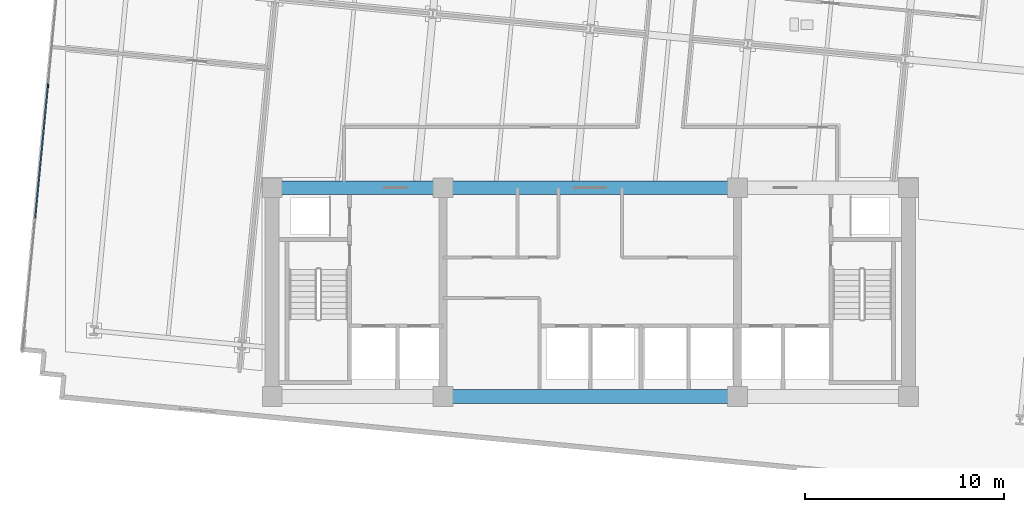
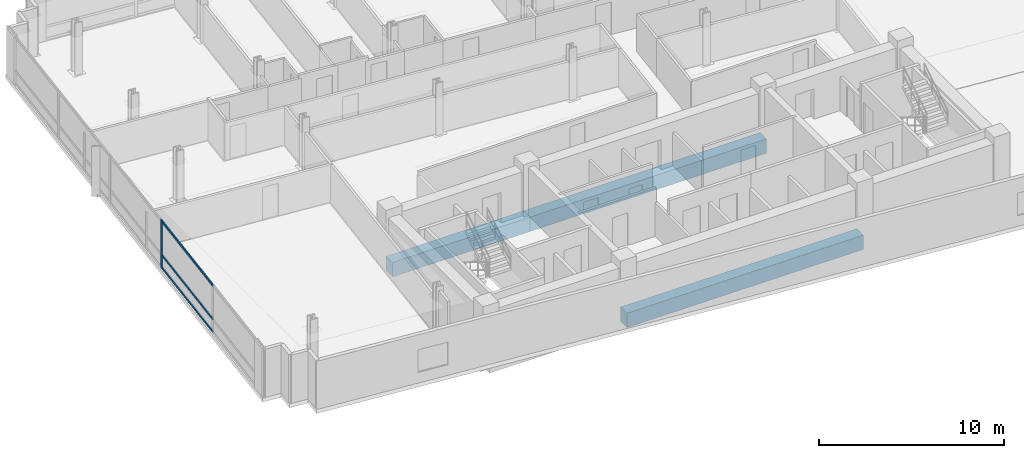
# One storey, part 3 of 17: 4 members, 3 beams, 1 element without a shape of its own.
"""IFC4 building model written with IfcOpenShell, lengths in metres."""

from ifc_helpers import new_model, si_unit, direction, frame, origin, origin_2d, place, context, subcontext, project, spatial, rectangle, extrude, material, material_profile, profile_set, type_object, element, aggregate, save


model = new_model("IFC4")

# Units and contexts
model_context = context("Model", 3, precision=1e-05, world=origin(), true_north=direction((0.0, 1.0)))
body_context = subcontext(model_context, "Body", "Model", "MODEL_VIEW")
ifc_project = project(units=[si_unit("LENGTHUNIT", "METRE"), si_unit("AREAUNIT", "SQUARE_METRE"), si_unit("VOLUMEUNIT", "CUBIC_METRE"), si_unit("PLANEANGLEUNIT", "RADIAN"), si_unit("MASSUNIT", "GRAM", prefix="KILO")], contexts=[model_context])

# Site, building, storey
site_placement = place(None, origin())
site = spatial("IfcSite", under=ifc_project, at=site_placement, CompositionType="ELEMENT")
building_placement = place(site_placement, origin())
building = spatial("IfcBuilding", under=site, at=building_placement, Name="Solmavex Isthmus Hotel", CompositionType="ELEMENT")
storey_placement = place(building_placement, frame((0.0, 0.0, 149.699951171875)))
storey = spatial("IfcBuildingStorey", under=building, at=storey_placement, Name="L40", CompositionType="ELEMENT", Elevation=149.699951171875)

# Beams
ifc_material_1 = material(Name="Concrete C60/75", Category="concrete")
ifc_material_profile_1 = material_profile(ifc_material_1, rectangle(XDim=0.699951171875, YDim=0.949951171875, at=origin_2d()), Name="RC700X950")
ifc_profile_set_1 = profile_set([ifc_material_profile_1], Name="Concrete C60/75")
beam_type = type_object("IfcBeamType", Name="BM-CB-700X950", PredefinedType="BEAM", material=ifc_profile_set_1)
beam_1_placement = place(storey_placement, frame((-7.39990234375, -13.0, -0.73486328125), z_axis=(1.0, 0.0, 0.0), x_axis=(0.0, 1.0, 0.0)))
element("IfcBeam", 1, at=beam_1_placement, inside=storey, type_object=beam_type, Name="Core Coupling Beam L40-CB2", PredefinedType="BEAM", context=body_context, shape_type="SweptSolid", body=[
    extrude(rectangle(XDim=0.699951171875, YDim=0.949951171875, at=origin_2d()), origin(), (0.0, 0.0, 1.0), 14.7998046875),
])
beam_2_placement = place(storey_placement, frame((-16.0, -2.5, -0.73486328125), z_axis=(1.0, 0.0, 0.0), x_axis=(0.0, 1.0, 0.0)))
element("IfcBeam", 2, at=beam_2_placement, inside=storey, type_object=beam_type, Name="Core Coupling Beam L40-CB4", PredefinedType="BEAM", context=body_context, shape_type="SweptSolid", body=[
    extrude(rectangle(XDim=0.699951171875, YDim=0.949951171875, at=origin_2d()), origin(), (0.0, 0.0, 1.0), 8.60009765625),
])
beam_3_placement = place(storey_placement, frame((-7.39990234375, -2.5, -0.73486328125), z_axis=(1.0, 0.0, 0.0), x_axis=(0.0, 1.0, 0.0)))
element("IfcBeam", 3, at=beam_3_placement, inside=storey, type_object=beam_type, Name="Core Coupling Beam L40-CB5", PredefinedType="BEAM", context=body_context, shape_type="SweptSolid", body=[
    extrude(rectangle(XDim=0.699951171875, YDim=0.949951171875, at=origin_2d()), origin(), (0.0, 0.0, 1.0), 14.7998046875),
])

# Curtain wall, members
ifc_material_2 = material(Name="Aluminium alloy 6063-T6", Category="aluminium")
curtain_wall_type = type_object("IfcCurtainWallType", Name="CW-SYS-03", PredefinedType="NOTDEFINED", material=ifc_material_2)
curtain_wall_placement = place(storey_placement, origin())
curtain_wall = element("IfcCurtainWall", 4, at=curtain_wall_placement, inside=storey, type_object=curtain_wall_type, Name="Stick Curtain Wall CWL-L40-W1", PredefinedType="NOTDEFINED")
ifc_material_profile_2 = material_profile(ifc_material_2, rectangle(XDim=0.070068359375, YDim=0.179931640625, at=origin_2d()), Name="CWM-70X180")
ifc_profile_set_2 = profile_set([ifc_material_profile_2], Name="Aluminium alloy 6063-T6")
member_type_1 = type_object("IfcMemberType", Name="CW-SYS-03-MUL", PredefinedType="MULLION", material=ifc_profile_set_2)
member_1_placement = place(storey_placement, frame((-27.2783203125, 2.6318359375, 0.0), z_axis=(0.0, 0.0, 1.0), x_axis=(-0.995396190038, 0.09584583902, 0.0)))
member_1 = element("IfcMember", 5, at=member_1_placement, type_object=member_type_1, Name="CW-03 mullion 3", PredefinedType="MULLION", context=body_context, shape_type="SweptSolid", body=[
    extrude(rectangle(XDim=0.070068359375, YDim=0.179931640625, at=origin_2d()), origin(), (0.0, 0.0, 1.0), 3.18994140625),
])
ifc_material_profile_3 = material_profile(ifc_material_2, rectangle(XDim=0.070068359375, YDim=0.139892578125, at=origin_2d()), Name="CWT-70X140")
ifc_profile_set_3 = profile_set([ifc_material_profile_3], Name="Aluminium alloy 6063-T6")
member_type_2 = type_object("IfcMemberType", Name="CW-SYS-03-TRN", PredefinedType="USERDEFINED", material=ifc_profile_set_3)
member_2_placement = place(storey_placement, frame((-27.9189453125, -4.0224609375, 0.070068359375), z_axis=(0.095820836451, 0.995398597197, 0.0), x_axis=(-0.995398597197, 0.095820836451, 0.0)))
member_2 = element("IfcMember", 6, at=member_2_placement, type_object=member_type_2, Name="CW-03 transom 2.1", ObjectType="TRANSOM", PredefinedType="USERDEFINED", context=body_context, shape_type="SweptSolid", body=[
    extrude(rectangle(XDim=0.070068359375, YDim=0.139892578125, at=origin_2d()), origin(), (0.0, 0.0, 1.0), 6.64990234375),
])
member_3_placement = place(storey_placement, frame((-27.9189453125, -4.0224609375, 0.900146484375), z_axis=(0.095820836451, 0.995398597197, 0.0), x_axis=(-0.995398597197, 0.095820836451, 0.0)))
member_3 = element("IfcMember", 7, at=member_3_placement, type_object=member_type_2, Name="CW-03 transom 2.2", ObjectType="TRANSOM", PredefinedType="USERDEFINED", context=body_context, shape_type="SweptSolid", body=[
    extrude(rectangle(XDim=0.070068359375, YDim=0.139892578125, at=origin_2d()), origin(), (0.0, 0.0, 1.0), 6.64990234375),
])
member_4_placement = place(storey_placement, frame((-27.9189453125, -4.0224609375, 3.1201171875), z_axis=(0.095820836451, 0.995398597197, 0.0), x_axis=(-0.995398597197, 0.095820836451, 0.0)))
member_4 = element("IfcMember", 8, at=member_4_placement, type_object=member_type_2, Name="CW-03 transom 2.3", ObjectType="TRANSOM", PredefinedType="USERDEFINED", context=body_context, shape_type="SweptSolid", body=[
    extrude(rectangle(XDim=0.070068359375, YDim=0.139892578125, at=origin_2d()), origin(), (0.0, 0.0, 1.0), 6.64990234375),
])
aggregate(curtain_wall, [member_1, member_2, member_3, member_4])

save(model, "model.ifc")
